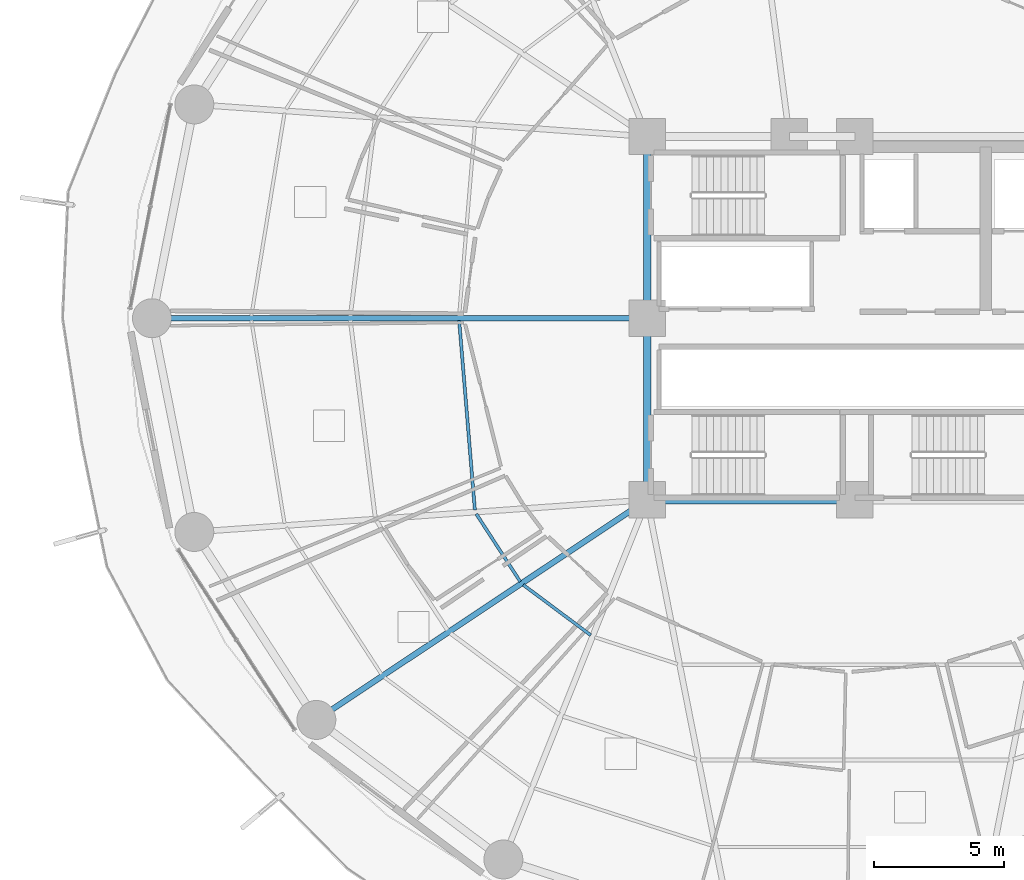
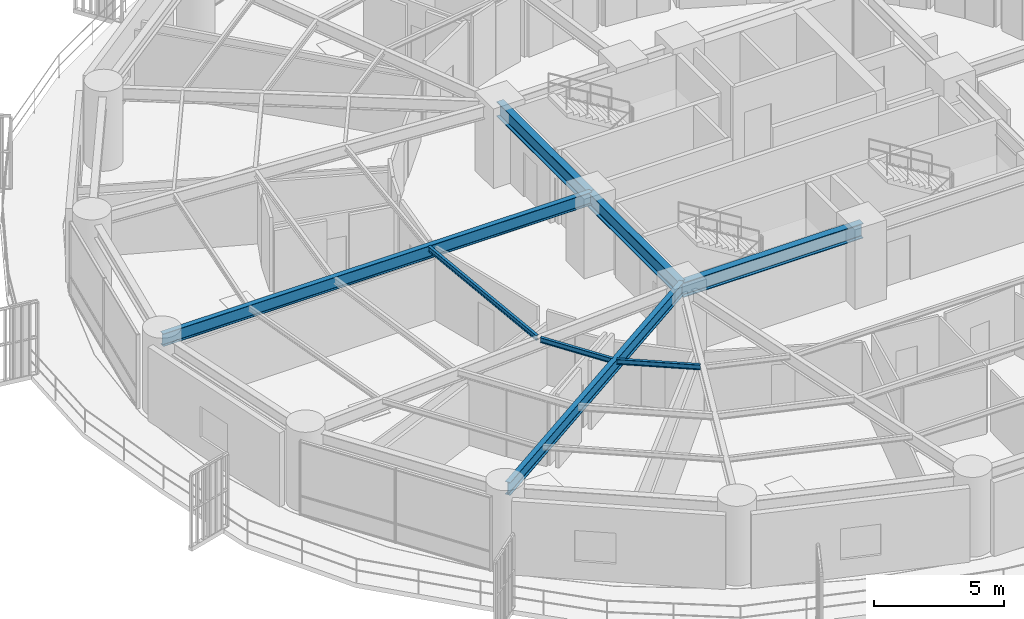
# One storey, part 7 of 33: 8 beams.
"""IFC4 building model written with IfcOpenShell, lengths in metres."""

from ifc_helpers import new_model, si_unit, direction, frame, origin, origin_2d, place, context, subcontext, project, spatial, i_section, extrude, material, material_profile, profile_set, type_object, element, save


model = new_model("IFC4")

# Units and contexts
model_context = context("Model", 3, precision=1e-05, world=origin(), true_north=direction((0.0, 1.0)))
body_context = subcontext(model_context, "Body", "Model", "MODEL_VIEW")
ifc_project = project(units=[si_unit("LENGTHUNIT", "METRE"), si_unit("AREAUNIT", "SQUARE_METRE"), si_unit("VOLUMEUNIT", "CUBIC_METRE"), si_unit("PLANEANGLEUNIT", "RADIAN"), si_unit("MASSUNIT", "GRAM", prefix="KILO")], contexts=[model_context])

# Site, building, storey
site_placement = place(None, origin())
site = spatial("IfcSite", under=ifc_project, at=site_placement, CompositionType="ELEMENT")
building_placement = place(site_placement, origin())
building = spatial("IfcBuilding", under=site, at=building_placement, Name="Kelanora Arch Commons", CompositionType="ELEMENT")
storey_placement = place(building_placement, frame((0.0, 0.0, 26.25)))
storey = spatial("IfcBuildingStorey", under=building, at=storey_placement, Name="L06", CompositionType="ELEMENT", Elevation=26.25)

# Beams
ifc_material = material(Name="Steel S355", Category="steel")
ifc_material_profile_1 = material_profile(ifc_material, i_section(OverallWidth=0.300048828125, OverallDepth=0.699951171875, WebThickness=0.01708984375, FlangeThickness=0.031982421875, FilletRadius=0.027099609375, at=origin_2d()), Name="HEB700")
ifc_profile_set_1 = profile_set([ifc_material_profile_1], Name="Steel S355")
beam_type_1 = type_object("IfcBeamType", Name="BM-CORE-HDR", PredefinedType="BEAM", material=ifc_profile_set_1)
beam_1_placement = place(storey_placement, frame((66.0, 51.0, 3.139892578125), z_axis=(1.0, 0.0, 0.0), x_axis=(0.0, 1.0, 0.0)))
element("IfcBeam", 1, at=beam_1_placement, inside=storey, type_object=beam_type_1, Name="Core Header Beam 01 L06", PredefinedType="BEAM", context=body_context, shape_type="SweptSolid", body=[
    extrude(i_section(OverallWidth=0.300048828125, OverallDepth=0.699951171875, WebThickness=0.01708984375, FlangeThickness=0.031982421875, FilletRadius=0.027099609375, at=origin_2d()), origin(), (0.0, 0.0, 1.0), 8.0),
])
for number, where, z_axis, x_axis, name in (
    (2, (66.0, 65.0, 3.139892578125), (0.0, -1.0, 0.0), (1.0, 0.0, 0.0), "Core Header Beam 08 L06"),
    (3, (66.0, 58.0, 3.139892578125), (0.0, -1.0, 0.0), (1.0, 0.0, 0.0), "Core Header Beam 09 L06"),
):
    element("IfcBeam", number, at=place(storey_placement, frame(where, z_axis=z_axis, x_axis=x_axis)), inside=storey, type_object=beam_type_1, Name=name, PredefinedType="BEAM", context=body_context, shape_type="SweptSolid", body=[
        extrude(i_section(OverallWidth=0.300048828125, OverallDepth=0.699951171875, WebThickness=0.01708984375, FlangeThickness=0.031982421875, FilletRadius=0.027099609375, at=origin_2d()), origin(), (0.0, 0.0, 1.0), 7.0),
    ])
ifc_material_profile_2 = material_profile(ifc_material, i_section(OverallWidth=0.1201171875, OverallDepth=0.239990234375, WebThickness=0.006103515625, FlangeThickness=0.009765625, FilletRadius=0.014892578125, at=origin_2d()), Name="IPE240")
ifc_profile_set_2 = profile_set([ifc_material_profile_2], Name="Steel S355")
beam_type_2 = type_object("IfcBeamType", Name="BM-JST-02", PredefinedType="JOIST", material=ifc_profile_set_2)
beam_2_placement = place(storey_placement, frame((58.756591796875, 57.915283203125, 3.3701171875), z_axis=(0.082786209886, -0.996567330115, 0.0), x_axis=(0.996567330115, 0.082786209886, 0.0)))
element("IfcBeam", 4, at=beam_2_placement, inside=storey, type_object=beam_type_2, Name="Secondary Chord Joist BJA-18 L06", PredefinedType="JOIST", context=body_context, shape_type="SweptSolid", body=[
    extrude(i_section(OverallWidth=0.1201171875, OverallDepth=0.239990234375, WebThickness=0.006103515625, FlangeThickness=0.009765625, FilletRadius=0.014892578125, at=origin_2d()), origin(), (0.0, 0.0, 1.0), 7.325439453125),
])
beam_3_placement = place(storey_placement, frame((59.41650390625, 50.458984375, 3.3701171875), z_axis=(0.544591105858, -0.838701691557, 0.0), x_axis=(0.838701691557, 0.544591105858, 0.0)))
element("IfcBeam", 5, at=beam_3_placement, inside=storey, type_object=beam_type_2, Name="Secondary Chord Joist BJA-20 L06", PredefinedType="JOIST", context=body_context, shape_type="SweptSolid", body=[
    extrude(i_section(OverallWidth=0.1201171875, OverallDepth=0.239990234375, WebThickness=0.006103515625, FlangeThickness=0.009765625, FilletRadius=0.014892578125, at=origin_2d()), origin(), (0.0, 0.0, 1.0), 3.111328125),
])
beam_4_placement = place(storey_placement, frame((61.22509765625, 47.727294921875, 3.3701171875), z_axis=(0.801513822608, -0.59797624716, 0.0), x_axis=(0.59797624716, 0.801513822608, 0.0)))
element("IfcBeam", 6, at=beam_4_placement, inside=storey, type_object=beam_type_2, Name="Secondary Chord Joist BJA-22 L06", PredefinedType="JOIST", context=body_context, shape_type="SweptSolid", body=[
    extrude(i_section(OverallWidth=0.1201171875, OverallDepth=0.239990234375, WebThickness=0.006103515625, FlangeThickness=0.009765625, FilletRadius=0.014892578125, at=origin_2d()), origin(), (0.0, 0.0, 1.0), 3.245849609375),
])
ifc_material_profile_3 = material_profile(ifc_material, i_section(OverallWidth=0.219970703125, OverallDepth=0.60009765625, WebThickness=0.011962890625, FlangeThickness=0.01904296875, FilletRadius=0.02392578125, at=origin_2d()), Name="IPE600")
ifc_profile_set_3 = profile_set([ifc_material_profile_3], Name="Steel S355")
beam_type_3 = type_object("IfcBeamType", Name="BM-RAD-Z1", PredefinedType="BEAM", material=ifc_profile_set_3)
beam_5_placement = place(storey_placement, frame((66.0, 58.0, 3.18994140625), z_axis=(-1.0, 0.0, 0.0), x_axis=(0.0, -1.0, 0.0)))
element("IfcBeam", 7, at=beam_5_placement, inside=storey, type_object=beam_type_3, Name="Radial Floor Girder BR-18 L06", PredefinedType="BEAM", context=body_context, shape_type="SweptSolid", body=[
    extrude(i_section(OverallWidth=0.219970703125, OverallDepth=0.60009765625, WebThickness=0.011962890625, FlangeThickness=0.01904296875, FilletRadius=0.02392578125, at=origin_2d()), origin(), (0.0, 0.0, 1.0), 19.080078125),
])
beam_6_placement = place(storey_placement, frame((66.0, 51.0, 3.18994140625), z_axis=(-0.832592623638, -0.553885839379, 0.0), x_axis=(0.553885839379, -0.832592623638, 0.0)))
element("IfcBeam", 8, at=beam_6_placement, inside=storey, type_object=beam_type_3, Name="Radial Floor Girder BR-22 L06", PredefinedType="BEAM", context=body_context, shape_type="SweptSolid", body=[
    extrude(i_section(OverallWidth=0.219970703125, OverallDepth=0.60009765625, WebThickness=0.011962890625, FlangeThickness=0.01904296875, FilletRadius=0.02392578125, at=origin_2d()), origin(), (0.0, 0.0, 1.0), 15.0869140625),
])

save(model, "model.ifc")
